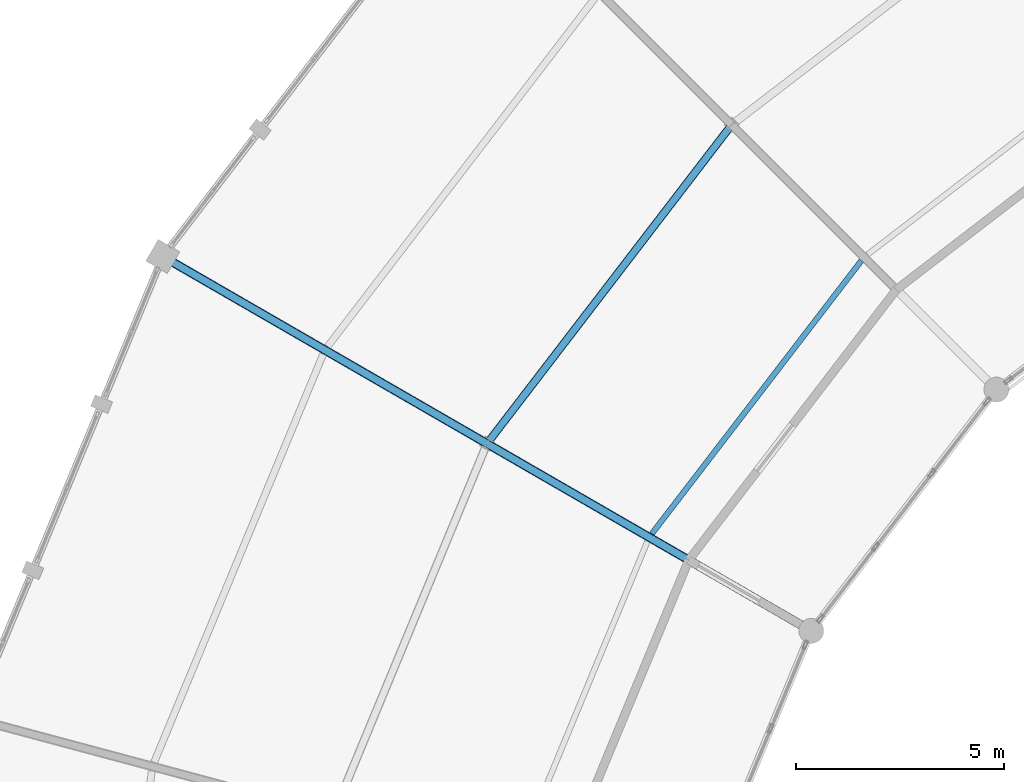
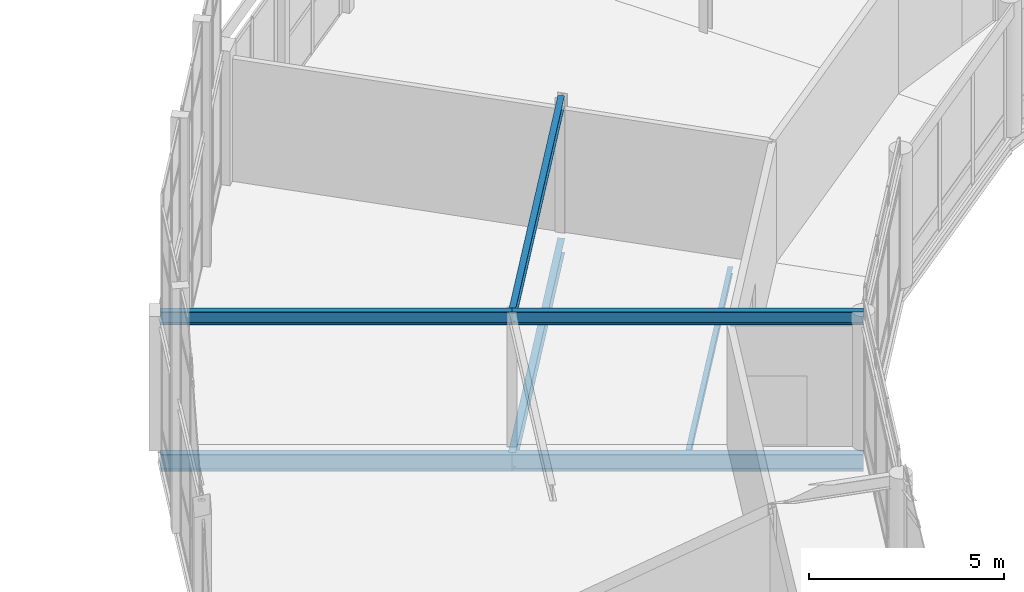
# One storey, part 84 of 200: 7 beams.
"""IFC4 building model written with IfcOpenShell, lengths in metres."""

from ifc_helpers import new_model, si_unit, direction, frame, origin, origin_2d, place, context, subcontext, project, spatial, i_section, extrude, material, material_profile, profile_set, type_object, element, save


model = new_model("IFC4")

# Units and contexts
model_context = context("Model", 3, precision=1e-05, world=origin(), true_north=direction((0.0, 1.0)))
body_context = subcontext(model_context, "Body", "Model", "MODEL_VIEW")
ifc_project = project(units=[si_unit("LENGTHUNIT", "METRE"), si_unit("AREAUNIT", "SQUARE_METRE"), si_unit("VOLUMEUNIT", "CUBIC_METRE"), si_unit("PLANEANGLEUNIT", "RADIAN"), si_unit("MASSUNIT", "GRAM", prefix="KILO")], contexts=[model_context])

# Site, building, storey
site_placement = place(None, origin())
site = spatial("IfcSite", under=ifc_project, at=site_placement, CompositionType="ELEMENT")
building_placement = place(site_placement, origin())
building = spatial("IfcBuilding", under=site, at=building_placement, Name="Vondelvale Polytechnic", CompositionType="ELEMENT")
storey_placement = place(building_placement, frame((0.0, 0.0, 13.800048828125)))
storey = spatial("IfcBuildingStorey", under=building, at=storey_placement, Name="L03", CompositionType="ELEMENT", Elevation=13.800048828125)

# Beams
ifc_material = material(Name="Steel 300PLUS (fy = 300 MPa)", Category="steel")
ifc_material_profile_1 = material_profile(ifc_material, i_section(OverallWidth=0.1708984375, OverallDepth=0.35205078125, WebThickness=0.0068359375, FlangeThickness=0.009765625, FilletRadius=0.011474609375, at=origin_2d()), Name="360UB44.7")
ifc_profile_set_1 = profile_set([ifc_material_profile_1], Name="Steel 300PLUS (fy = 300 MPa)")
beam_type_1 = type_object("IfcBeamType", Name="BM-UB360L", PredefinedType="BEAM", material=ifc_profile_set_1)
beam_1_placement = place(storey_placement, frame((75.8369140625, 98.1630859375, 4.02392578125), z_axis=(-0.60874775518, -0.793363832402, 0.0), x_axis=(0.793363832402, -0.60874775518, 0.0)))
element("IfcBeam", 1, at=beam_1_placement, inside=storey, type_object=beam_type_1, Name="L03 RE B-24", PredefinedType="BEAM", context=body_context, shape_type="SweptSolid", body=[
    extrude(i_section(OverallWidth=0.1708984375, OverallDepth=0.35205078125, WebThickness=0.0068359375, FlangeThickness=0.009765625, FilletRadius=0.011474609375, at=origin_2d()), origin(), (0.0, 0.0, 1.0), 9.658935546875),
])
ifc_material_profile_2 = material_profile(ifc_material, i_section(OverallWidth=0.177978515625, OverallDepth=0.403076171875, WebThickness=0.007568359375, FlangeThickness=0.010986328125, FilletRadius=0.011474609375, at=origin_2d()), Name="410UB53.7")
ifc_profile_set_2 = profile_set([ifc_material_profile_2], Name="Steel 300PLUS (fy = 300 MPa)")
beam_type_2 = type_object("IfcBeamType", Name="BM-UB410L", PredefinedType="BEAM", material=ifc_profile_set_2)
for number, where, z_axis, x_axis, name in (
    (2, (77.751220703125, 86.0, 3.99853515625), (-0.866024315419, 0.5000018851, 0.0), (-0.5000018851, -0.866024315419, 0.0), "L03 REG B-23"),
    (3, (69.95703125, 90.5, 3.99853515625), (-0.866024315419, 0.5000018851, 0.0), (-0.5000018851, -0.866024315419, 0.0), "L03 REG B-23"),
):
    element("IfcBeam", number, at=place(storey_placement, frame(where, z_axis=z_axis, x_axis=x_axis)), inside=storey, type_object=beam_type_2, Name=name, PredefinedType="BEAM", context=body_context, shape_type="SweptSolid", body=[
        extrude(i_section(OverallWidth=0.177978515625, OverallDepth=0.403076171875, WebThickness=0.007568359375, FlangeThickness=0.010986328125, FilletRadius=0.011474609375, at=origin_2d()), origin(), (0.0, 0.0, 1.0), 9.0),
    ])
ifc_material_profile_3 = material_profile(ifc_material, i_section(OverallWidth=0.18994140625, OverallDepth=0.4541015625, WebThickness=0.008544921875, FlangeThickness=0.0126953125, FilletRadius=0.011474609375, at=origin_2d()), Name="460UB67.1")
ifc_profile_set_3 = profile_set([ifc_material_profile_3], Name="Steel 300PLUS (fy = 300 MPa)")
beam_type_3 = type_object("IfcBeamType", Name="BM-UB460L", PredefinedType="BEAM", material=ifc_profile_set_3)
beam_2_placement = place(storey_placement, frame((75.8369140625, 98.1630859375, -0.47705078125), z_axis=(-0.60874775518, -0.793363832402, 0.0), x_axis=(0.793363832402, -0.60874775518, 0.0)))
element("IfcBeam", 4, at=beam_2_placement, inside=storey, type_object=beam_type_3, Name="L03 RB B-22", PredefinedType="BEAM", context=body_context, shape_type="SweptSolid", body=[
    extrude(i_section(OverallWidth=0.18994140625, OverallDepth=0.4541015625, WebThickness=0.008544921875, FlangeThickness=0.0126953125, FilletRadius=0.011474609375, at=origin_2d()), origin(), (0.0, 0.0, 1.0), 9.658935546875),
])
ifc_material_profile_4 = material_profile(ifc_material, i_section(OverallWidth=0.208984375, OverallDepth=0.532958984375, WebThickness=0.01025390625, FlangeThickness=0.015625, FilletRadius=0.013916015625, at=origin_2d()), Name="530UB92.4")
ifc_profile_set_4 = profile_set([ifc_material_profile_4], Name="Steel 300PLUS (fy = 300 MPa)")
beam_type_4 = type_object("IfcBeamType", Name="BM-UB530", PredefinedType="BEAM", material=ifc_profile_set_4)
beam_3_placement = place(storey_placement, frame((69.95703125, 90.5, -0.5166015625), z_axis=(-0.866024315419, 0.5000018851, 0.0), x_axis=(-0.5000018851, -0.866024315419, 0.0)))
element("IfcBeam", 5, at=beam_3_placement, inside=storey, type_object=beam_type_4, Name="L03 RG B-11", PredefinedType="BEAM", context=body_context, shape_type="SweptSolid", body=[
    extrude(i_section(OverallWidth=0.208984375, OverallDepth=0.532958984375, WebThickness=0.01025390625, FlangeThickness=0.015625, FilletRadius=0.013916015625, at=origin_2d()), origin(), (0.0, 0.0, 1.0), 9.0),
])
ifc_material_profile_5 = material_profile(ifc_material, i_section(OverallWidth=0.208984375, OverallDepth=0.528076171875, WebThickness=0.009521484375, FlangeThickness=0.01318359375, FilletRadius=0.013916015625, at=origin_2d()), Name="530UB82.0")
ifc_profile_set_5 = profile_set([ifc_material_profile_5], Name="Steel 300PLUS (fy = 300 MPa)")
beam_type_5 = type_object("IfcBeamType", Name="BM-UB530L", PredefinedType="BEAM", material=ifc_profile_set_5)
beam_4_placement = place(storey_placement, frame((77.751220703125, 86.0, -0.51416015625), z_axis=(-0.866024315419, 0.5000018851, 0.0), x_axis=(-0.5000018851, -0.866024315419, 0.0)))
element("IfcBeam", 6, at=beam_4_placement, inside=storey, type_object=beam_type_5, Name="L03 RG B-21", PredefinedType="BEAM", context=body_context, shape_type="SweptSolid", body=[
    extrude(i_section(OverallWidth=0.208984375, OverallDepth=0.528076171875, WebThickness=0.009521484375, FlangeThickness=0.01318359375, FilletRadius=0.013916015625, at=origin_2d()), origin(), (0.0, 0.0, 1.0), 9.0),
])
ifc_material_profile_6 = material_profile(ifc_material, i_section(OverallWidth=0.133056640625, OverallDepth=0.202880859375, WebThickness=0.005859375, FlangeThickness=0.0078125, FilletRadius=0.0087890625, at=origin_2d()), Name="200UB25.4")
ifc_profile_set_6 = profile_set([ifc_material_profile_6], Name="Steel 300PLUS (fy = 300 MPa)")
beam_type_6 = type_object("IfcBeamType", Name="JST-UB200", PredefinedType="JOIST", material=ifc_profile_set_6)
beam_5_placement = place(storey_placement, frame((78.951904296875, 94.893798828125, -0.3515625), z_axis=(-0.608750899721, -0.793361419587, 0.0), x_axis=(0.793361419587, -0.608750899721, 0.0)))
element("IfcBeam", 7, at=beam_5_placement, inside=storey, type_object=beam_type_6, Name="L03 RJ J-09", PredefinedType="JOIST", context=body_context, shape_type="SweptSolid", body=[
    extrude(i_section(OverallWidth=0.133056640625, OverallDepth=0.202880859375, WebThickness=0.005859375, FlangeThickness=0.0078125, FilletRadius=0.0087890625, at=origin_2d()), origin(), (0.0, 0.0, 1.0), 8.26416015625),
])

save(model, "model.ifc")
